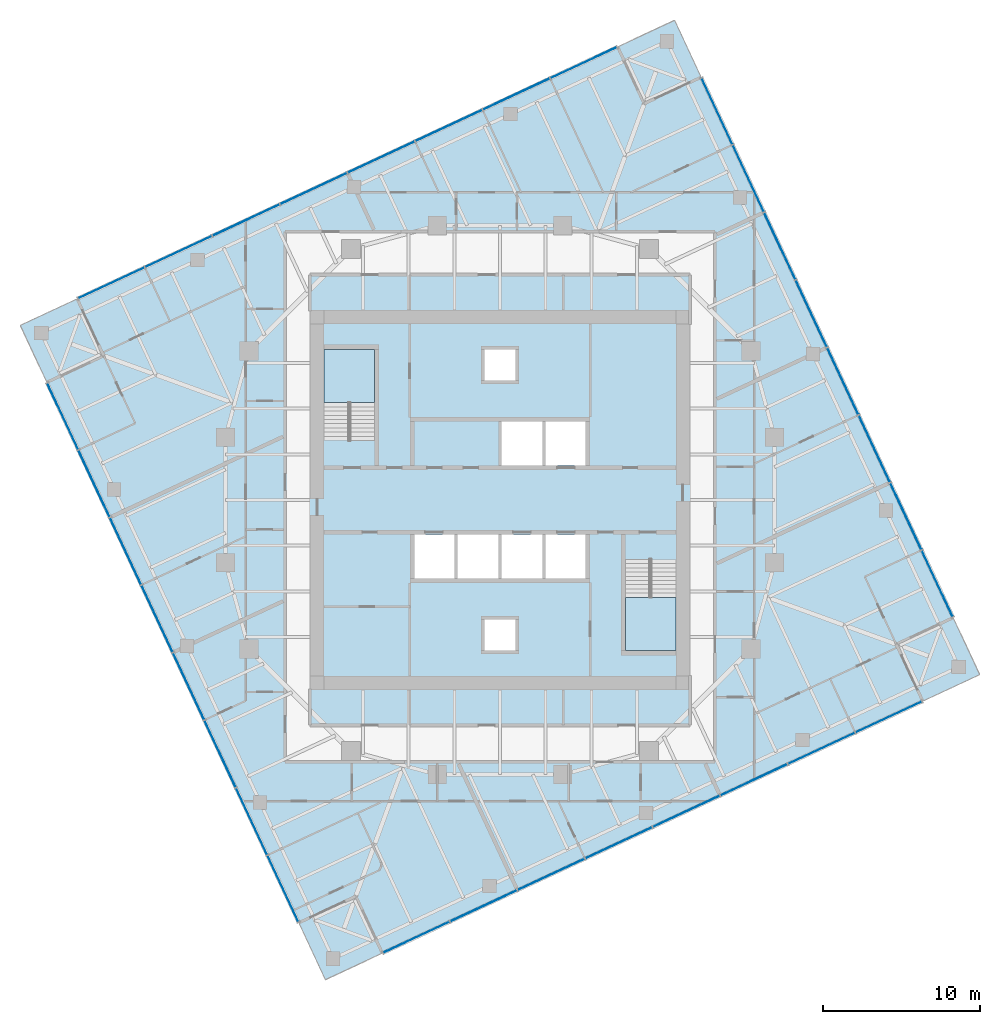
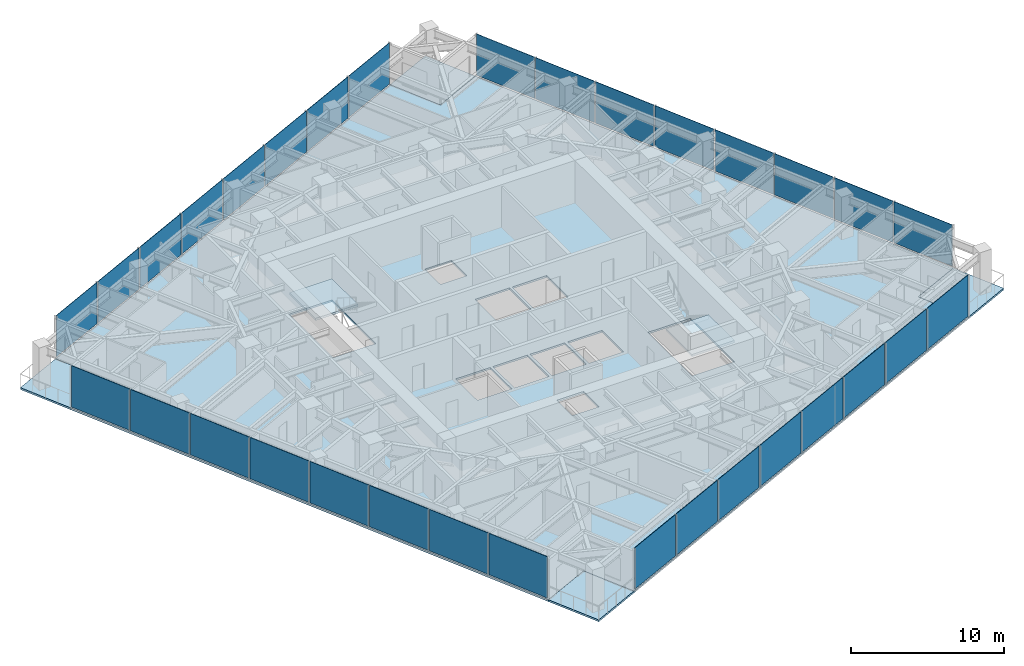
# One storey, part 6 of 12: 32 plates, 7 slabs, 6 elements without a shape of their own.
"""IFC4 building model written with IfcOpenShell, lengths in metres."""

from ifc_helpers import new_model, si_unit, direction, frame, origin, origin_2d, place, context, subcontext, project, spatial, polyline, rectangle, outline, extrude, material, layer, layer_set, type_object, element, aggregate, save


model = new_model("IFC4")

# Units and contexts
model_context = context("Model", 3, precision=1e-05, world=origin(), true_north=direction((0.0, 1.0)))
body_context = subcontext(model_context, "Body", "Model", "MODEL_VIEW")
ifc_project = project(units=[si_unit("LENGTHUNIT", "METRE"), si_unit("AREAUNIT", "SQUARE_METRE"), si_unit("VOLUMEUNIT", "CUBIC_METRE"), si_unit("PLANEANGLEUNIT", "RADIAN"), si_unit("MASSUNIT", "GRAM", prefix="KILO")], contexts=[model_context])

# Site, building, storey
site_placement = place(None, origin())
site = spatial("IfcSite", under=ifc_project, at=site_placement, CompositionType="ELEMENT")
building_placement = place(site_placement, origin())
building = spatial("IfcBuilding", under=site, at=building_placement, Name="Torsade Residences", CompositionType="ELEMENT")
storey_placement = place(building_placement, frame((0.0, 0.0, 186.199951171875)))
storey = spatial("IfcBuildingStorey", under=building, at=storey_placement, Name="L51", CompositionType="ELEMENT", Elevation=186.199951171875)

# Slab
ifc_material_1 = material(Name="Concrete 40 MPa", Category="concrete")
ifc_layer_1 = layer(ifc_material_1, 0.14990234375)
ifc_layer_set_1 = layer_set([ifc_layer_1], Name="Concrete 40 MPa")
slab_type_1 = type_object("IfcSlabType", Name="COMPOSITE FLOOR SLAB 150", PredefinedType="FLOOR", material=ifc_layer_set_1)
slab_1_placement = place(storey_placement, frame((0.0, 0.0, -0.14990234375)))
element("IfcSlab", 1, at=slab_1_placement, inside=storey, type_object=slab_type_1, Name="Floor slab L51", PredefinedType="FLOOR", context=body_context, shape_type="SweptSolid", body=[
    extrude(outline(polyline([(32.50048828125, 1.125244140625), (66.940185546875, 17.1845703125), (65.24951171875, 20.809814453125), (68.874755859375, 22.50048828125), (52.8154296875, 56.940185546875), (49.190185546875, 55.24951171875), (47.49951171875, 58.874755859375), (13.059814453125, 42.8154296875), (14.75048828125, 39.190185546875), (11.125244140625, 37.49951171875), (27.1845703125, 3.059814453125), (30.809814453125, 4.75048828125), (32.50048828125, 1.125244140625)]), holes=[polyline([(51.199951171875, 26.1201171875), (48.0, 26.1201171875), (48.0, 20.39990234375), (51.199951171875, 20.39990234375), (51.199951171875, 26.1201171875)]), polyline([(45.5, 27.800048828125), (42.89990234375, 27.800048828125), (42.89990234375, 25.0), (45.5, 25.0), (45.5, 27.800048828125)]), polyline([(45.5, 35.0), (42.89990234375, 35.0), (42.89990234375, 32.199951171875), (45.5, 32.199951171875), (45.5, 35.0)]), polyline([(42.699951171875, 25.0), (42.699951171875, 27.800048828125), (40.10009765625, 27.800048828125), (40.10009765625, 25.0), (42.699951171875, 25.0)]), polyline([(42.699951171875, 35.0), (40.10009765625, 35.0), (40.10009765625, 32.199951171875), (42.699951171875, 32.199951171875), (42.699951171875, 35.0)]), polyline([(41.0, 22.39990234375), (39.0, 22.39990234375), (39.0, 20.39990234375), (41.0, 20.39990234375), (41.0, 22.39990234375)]), polyline([(41.0, 37.60009765625), (41.0, 39.60009765625), (39.0, 39.60009765625), (39.0, 37.60009765625), (41.0, 37.60009765625)]), polyline([(39.89990234375, 25.0), (39.89990234375, 27.800048828125), (37.300048828125, 27.800048828125), (37.300048828125, 25.0), (39.89990234375, 25.0)]), polyline([(37.10009765625, 27.800048828125), (34.5, 27.800048828125), (34.5, 25.0), (37.10009765625, 25.0), (37.10009765625, 27.800048828125)]), polyline([(32.0, 33.8798828125), (32.0, 39.60009765625), (28.800048828125, 39.60009765625), (28.800048828125, 33.8798828125), (32.0, 33.8798828125)])]), origin(), (0.0, 0.0, 1.0), 0.14990234375),
])

# Curtain wall, plates
ifc_material_2 = material(Name="Aluminium and glass", Category="aluminium")
curtain_wall_type = type_object("IfcCurtainWallType", Name="FRITTED GLASS CURTAIN WALL MID ZONE", PredefinedType="NOTDEFINED", material=ifc_material_2)
curtain_wall_1_placement = place(storey_placement, origin())
curtain_wall_1 = element("IfcCurtainWall", 2, at=curtain_wall_1_placement, inside=storey, type_object=curtain_wall_type, Name="Curtain wall L51 face 1", PredefinedType="NOTDEFINED")
ifc_material_3 = material(Name="Laminated glass", Category="glass")
ifc_layer_2 = layer(ifc_material_3, 0.031982421875)
ifc_layer_set_2 = layer_set([ifc_layer_2], Name="Laminated glass")
plate_type_1 = type_object("IfcPlateType", Name="FRITTED GLASS PANEL", PredefinedType="CURTAIN_PANEL", material=ifc_layer_set_2)
plate_1_placement = place(storey_placement, frame((34.6708984375, 2.137451171875, 0.110107421875), z_axis=(0.0, 0.0, 1.0), x_axis=(0.906307786926, 0.422618261978, 0.0)))
plate_1 = element("IfcPlate", 3, at=plate_1_placement, type_object=plate_type_1, Name="Panel 1", PredefinedType="CURTAIN_PANEL", context=body_context, shape_type="SweptSolid", body=[
    extrude(rectangle(XDim=4.6298828125, YDim=0.031982421875, at=origin_2d()), origin(), (0.0, 0.0, 1.0), 3.2900390625),
])
plate_2_placement = place(storey_placement, frame((43.2626953125, 6.143798828125, 0.110107421875), z_axis=(0.0, 0.0, 1.0), x_axis=(0.906307786926, 0.422618261978, 0.0)))
plate_2 = element("IfcPlate", 4, at=plate_2_placement, type_object=plate_type_1, Name="Panel 3", PredefinedType="CURTAIN_PANEL", context=body_context, shape_type="SweptSolid", body=[
    extrude(rectangle(XDim=4.669921875, YDim=0.031982421875, at=origin_2d()), origin(), (0.0, 0.0, 1.0), 3.2900390625),
])
plate_3_placement = place(storey_placement, frame((47.567626953125, 8.151123046875, 0.110107421875), z_axis=(0.0, 0.0, 1.0), x_axis=(0.906307786926, 0.422618261978, 0.0)))
plate_3 = element("IfcPlate", 5, at=plate_3_placement, type_object=plate_type_1, Name="Panel 4", PredefinedType="CURTAIN_PANEL", context=body_context, shape_type="SweptSolid", body=[
    extrude(rectangle(XDim=4.669921875, YDim=0.031982421875, at=origin_2d()), origin(), (0.0, 0.0, 1.0), 3.2900390625),
])
plate_4_placement = place(storey_placement, frame((51.872802734375, 10.15869140625, 0.110107421875), z_axis=(0.0, 0.0, 1.0), x_axis=(0.906307786926, 0.422618261978, 0.0)))
plate_4 = element("IfcPlate", 6, at=plate_4_placement, type_object=plate_type_1, Name="Panel 5", PredefinedType="CURTAIN_PANEL", context=body_context, shape_type="SweptSolid", body=[
    extrude(rectangle(XDim=4.669921875, YDim=0.031982421875, at=origin_2d()), origin(), (0.0, 0.0, 1.0), 3.2900390625),
])
plate_5_placement = place(storey_placement, frame((60.482666015625, 14.173583984375, 0.110107421875), z_axis=(0.0, 0.0, 1.0), x_axis=(0.906307786926, 0.422618261978, 0.0)))
plate_5 = element("IfcPlate", 7, at=plate_5_placement, type_object=plate_type_1, Name="Panel 7", PredefinedType="CURTAIN_PANEL", context=body_context, shape_type="SweptSolid", body=[
    extrude(rectangle(XDim=4.669921875, YDim=0.031982421875, at=origin_2d()), origin(), (0.0, 0.0, 1.0), 3.2900390625),
])
plate_6_placement = place(storey_placement, frame((64.76953125, 16.172607421875, 0.110107421875), z_axis=(0.0, 0.0, 1.0), x_axis=(0.906307786926, 0.422618261978, 0.0)))
plate_6 = element("IfcPlate", 8, at=plate_6_placement, type_object=plate_type_1, Name="Panel 8", PredefinedType="CURTAIN_PANEL", context=body_context, shape_type="SweptSolid", body=[
    extrude(rectangle(XDim=4.6298828125, YDim=0.031982421875, at=origin_2d()), origin(), (0.0, 0.0, 1.0), 3.2900390625),
])

curtain_wall_2_placement = place(storey_placement, origin())
curtain_wall_2 = element("IfcCurtainWall", 9, at=curtain_wall_2_placement, inside=storey, type_object=curtain_wall_type, Name="Curtain wall L51 face 4", PredefinedType="NOTDEFINED")
plate_7_placement = place(storey_placement, frame((67.862548828125, 24.6708984375, 0.110107421875), z_axis=(0.0, 0.0, 1.0), x_axis=(-0.422618261978, 0.906307786926, 0.0)))
plate_7 = element("IfcPlate", 10, at=plate_7_placement, type_object=plate_type_1, Name="Panel 1", PredefinedType="CURTAIN_PANEL", context=body_context, shape_type="SweptSolid", body=[
    extrude(rectangle(XDim=4.6298828125, YDim=0.031982421875, at=origin_2d()), origin(), (0.0, 0.0, 1.0), 3.2900390625),
])
plate_8_placement = place(storey_placement, frame((63.856201171875, 33.2626953125, 0.110107421875), z_axis=(0.0, 0.0, 1.0), x_axis=(-0.422618261978, 0.906307786926, 0.0)))
plate_8 = element("IfcPlate", 11, at=plate_8_placement, type_object=plate_type_1, Name="Panel 3", PredefinedType="CURTAIN_PANEL", context=body_context, shape_type="SweptSolid", body=[
    extrude(rectangle(XDim=4.669921875, YDim=0.031982421875, at=origin_2d()), origin(), (0.0, 0.0, 1.0), 3.2900390625),
])
plate_9_placement = place(storey_placement, frame((61.848876953125, 37.567626953125, 0.110107421875), z_axis=(0.0, 0.0, 1.0), x_axis=(-0.422618261978, 0.906307786926, 0.0)))
plate_9 = element("IfcPlate", 12, at=plate_9_placement, type_object=plate_type_1, Name="Panel 4", PredefinedType="CURTAIN_PANEL", context=body_context, shape_type="SweptSolid", body=[
    extrude(rectangle(XDim=4.669921875, YDim=0.031982421875, at=origin_2d()), origin(), (0.0, 0.0, 1.0), 3.2900390625),
])
plate_10_placement = place(storey_placement, frame((59.84130859375, 41.872802734375, 0.110107421875), z_axis=(0.0, 0.0, 1.0), x_axis=(-0.422618261978, 0.906307786926, 0.0)))
plate_10 = element("IfcPlate", 13, at=plate_10_placement, type_object=plate_type_1, Name="Panel 5", PredefinedType="CURTAIN_PANEL", context=body_context, shape_type="SweptSolid", body=[
    extrude(rectangle(XDim=4.669921875, YDim=0.031982421875, at=origin_2d()), origin(), (0.0, 0.0, 1.0), 3.2900390625),
])
plate_11_placement = place(storey_placement, frame((55.826416015625, 50.482666015625, 0.110107421875), z_axis=(0.0, 0.0, 1.0), x_axis=(-0.422618261978, 0.906307786926, 0.0)))
plate_11 = element("IfcPlate", 14, at=plate_11_placement, type_object=plate_type_1, Name="Panel 7", PredefinedType="CURTAIN_PANEL", context=body_context, shape_type="SweptSolid", body=[
    extrude(rectangle(XDim=4.669921875, YDim=0.031982421875, at=origin_2d()), origin(), (0.0, 0.0, 1.0), 3.2900390625),
])
plate_12_placement = place(storey_placement, frame((53.827392578125, 54.76953125, 0.110107421875), z_axis=(0.0, 0.0, 1.0), x_axis=(-0.422618261978, 0.906307786926, 0.0)))
plate_12 = element("IfcPlate", 15, at=plate_12_placement, type_object=plate_type_1, Name="Panel 8", PredefinedType="CURTAIN_PANEL", context=body_context, shape_type="SweptSolid", body=[
    extrude(rectangle(XDim=4.6298828125, YDim=0.031982421875, at=origin_2d()), origin(), (0.0, 0.0, 1.0), 3.2900390625),
])

curtain_wall_3_placement = place(storey_placement, origin())
curtain_wall_3 = element("IfcCurtainWall", 16, at=curtain_wall_3_placement, inside=storey, type_object=curtain_wall_type, Name="Curtain wall L51 face 7", PredefinedType="NOTDEFINED")
plate_13_placement = place(storey_placement, frame((45.3291015625, 57.862548828125, 0.110107421875), z_axis=(0.0, 0.0, 1.0), x_axis=(-0.906307786926, -0.422618261978, 0.0)))
plate_13 = element("IfcPlate", 17, at=plate_13_placement, type_object=plate_type_1, Name="Panel 1", PredefinedType="CURTAIN_PANEL", context=body_context, shape_type="SweptSolid", body=[
    extrude(rectangle(XDim=4.6298828125, YDim=0.031982421875, at=origin_2d()), origin(), (0.0, 0.0, 1.0), 3.2900390625),
])
plate_14_placement = place(storey_placement, frame((36.7373046875, 53.856201171875, 0.110107421875), z_axis=(0.0, 0.0, 1.0), x_axis=(-0.906307786926, -0.422618261978, 0.0)))
plate_14 = element("IfcPlate", 18, at=plate_14_placement, type_object=plate_type_1, Name="Panel 3", PredefinedType="CURTAIN_PANEL", context=body_context, shape_type="SweptSolid", body=[
    extrude(rectangle(XDim=4.669921875, YDim=0.031982421875, at=origin_2d()), origin(), (0.0, 0.0, 1.0), 3.2900390625),
])
plate_15_placement = place(storey_placement, frame((32.432373046875, 51.848876953125, 0.110107421875), z_axis=(0.0, 0.0, 1.0), x_axis=(-0.906307786926, -0.422618261978, 0.0)))
plate_15 = element("IfcPlate", 19, at=plate_15_placement, type_object=plate_type_1, Name="Panel 4", PredefinedType="CURTAIN_PANEL", context=body_context, shape_type="SweptSolid", body=[
    extrude(rectangle(XDim=4.669921875, YDim=0.031982421875, at=origin_2d()), origin(), (0.0, 0.0, 1.0), 3.2900390625),
])
plate_16_placement = place(storey_placement, frame((28.127197265625, 49.84130859375, 0.110107421875), z_axis=(0.0, 0.0, 1.0), x_axis=(-0.906307786926, -0.422618261978, 0.0)))
plate_16 = element("IfcPlate", 20, at=plate_16_placement, type_object=plate_type_1, Name="Panel 5", PredefinedType="CURTAIN_PANEL", context=body_context, shape_type="SweptSolid", body=[
    extrude(rectangle(XDim=4.669921875, YDim=0.031982421875, at=origin_2d()), origin(), (0.0, 0.0, 1.0), 3.2900390625),
])
plate_17_placement = place(storey_placement, frame((19.517333984375, 45.826416015625, 0.110107421875), z_axis=(0.0, 0.0, 1.0), x_axis=(-0.906307786926, -0.422618261978, 0.0)))
plate_17 = element("IfcPlate", 21, at=plate_17_placement, type_object=plate_type_1, Name="Panel 7", PredefinedType="CURTAIN_PANEL", context=body_context, shape_type="SweptSolid", body=[
    extrude(rectangle(XDim=4.669921875, YDim=0.031982421875, at=origin_2d()), origin(), (0.0, 0.0, 1.0), 3.2900390625),
])
plate_18_placement = place(storey_placement, frame((15.23046875, 43.827392578125, 0.110107421875), z_axis=(0.0, 0.0, 1.0), x_axis=(-0.906307786926, -0.422618261978, 0.0)))
plate_18 = element("IfcPlate", 22, at=plate_18_placement, type_object=plate_type_1, Name="Panel 8", PredefinedType="CURTAIN_PANEL", context=body_context, shape_type="SweptSolid", body=[
    extrude(rectangle(XDim=4.6298828125, YDim=0.031982421875, at=origin_2d()), origin(), (0.0, 0.0, 1.0), 3.2900390625),
])

curtain_wall_4_placement = place(storey_placement, origin())
curtain_wall_4 = element("IfcCurtainWall", 23, at=curtain_wall_4_placement, inside=storey, type_object=curtain_wall_type, Name="Curtain wall L51 face 10", PredefinedType="NOTDEFINED")
plate_19_placement = place(storey_placement, frame((12.137451171875, 35.3291015625, 0.110107421875), z_axis=(0.0, 0.0, 1.0), x_axis=(0.422618261978, -0.906307786926, 0.0)))
plate_19 = element("IfcPlate", 24, at=plate_19_placement, type_object=plate_type_1, Name="Panel 1", PredefinedType="CURTAIN_PANEL", context=body_context, shape_type="SweptSolid", body=[
    extrude(rectangle(XDim=4.6298828125, YDim=0.031982421875, at=origin_2d()), origin(), (0.0, 0.0, 1.0), 3.2900390625),
])
plate_20_placement = place(storey_placement, frame((16.143798828125, 26.7373046875, 0.110107421875), z_axis=(0.0, 0.0, 1.0), x_axis=(0.422618261978, -0.906307786926, 0.0)))
plate_20 = element("IfcPlate", 25, at=plate_20_placement, type_object=plate_type_1, Name="Panel 3", PredefinedType="CURTAIN_PANEL", context=body_context, shape_type="SweptSolid", body=[
    extrude(rectangle(XDim=4.669921875, YDim=0.031982421875, at=origin_2d()), origin(), (0.0, 0.0, 1.0), 3.2900390625),
])
plate_21_placement = place(storey_placement, frame((18.151123046875, 22.432373046875, 0.110107421875), z_axis=(0.0, 0.0, 1.0), x_axis=(0.422618261978, -0.906307786926, 0.0)))
plate_21 = element("IfcPlate", 26, at=plate_21_placement, type_object=plate_type_1, Name="Panel 4", PredefinedType="CURTAIN_PANEL", context=body_context, shape_type="SweptSolid", body=[
    extrude(rectangle(XDim=4.669921875, YDim=0.031982421875, at=origin_2d()), origin(), (0.0, 0.0, 1.0), 3.2900390625),
])
plate_22_placement = place(storey_placement, frame((20.15869140625, 18.127197265625, 0.110107421875), z_axis=(0.0, 0.0, 1.0), x_axis=(0.422618261978, -0.906307786926, 0.0)))
plate_22 = element("IfcPlate", 27, at=plate_22_placement, type_object=plate_type_1, Name="Panel 5", PredefinedType="CURTAIN_PANEL", context=body_context, shape_type="SweptSolid", body=[
    extrude(rectangle(XDim=4.669921875, YDim=0.031982421875, at=origin_2d()), origin(), (0.0, 0.0, 1.0), 3.2900390625),
])
plate_23_placement = place(storey_placement, frame((24.173583984375, 9.517333984375, 0.110107421875), z_axis=(0.0, 0.0, 1.0), x_axis=(0.422618261978, -0.906307786926, 0.0)))
plate_23 = element("IfcPlate", 28, at=plate_23_placement, type_object=plate_type_1, Name="Panel 7", PredefinedType="CURTAIN_PANEL", context=body_context, shape_type="SweptSolid", body=[
    extrude(rectangle(XDim=4.669921875, YDim=0.031982421875, at=origin_2d()), origin(), (0.0, 0.0, 1.0), 3.2900390625),
])
plate_24_placement = place(storey_placement, frame((26.172607421875, 5.23046875, 0.110107421875), z_axis=(0.0, 0.0, 1.0), x_axis=(0.422618261978, -0.906307786926, 0.0)))
plate_24 = element("IfcPlate", 29, at=plate_24_placement, type_object=plate_type_1, Name="Panel 8", PredefinedType="CURTAIN_PANEL", context=body_context, shape_type="SweptSolid", body=[
    extrude(rectangle(XDim=4.6298828125, YDim=0.031982421875, at=origin_2d()), origin(), (0.0, 0.0, 1.0), 3.2900390625),
])

# Plate
ifc_material_4 = material(Name="Laminated glass", Category="glass")
ifc_layer_3 = layer(ifc_material_4, 0.0400390625)
ifc_layer_set_3 = layer_set([ifc_layer_3], Name="Laminated glass")
plate_type_2 = type_object("IfcPlateType", Name="OPERABLE VENT PANEL", PredefinedType="CURTAIN_PANEL", material=ifc_layer_set_3)
plate_25_placement = place(storey_placement, frame((38.957763671875, 4.13623046875, 0.110107421875), z_axis=(0.0, 0.0, 1.0), x_axis=(0.906307786926, 0.422618261978, 0.0)))
plate_25 = element("IfcPlate", 30, at=plate_25_placement, type_object=plate_type_2, Name="Panel 2", PredefinedType="CURTAIN_PANEL", context=body_context, shape_type="SweptSolid", body=[
    extrude(rectangle(XDim=4.669921875, YDim=0.0400390625, at=origin_2d()), origin(), (0.0, 0.0, 1.0), 3.2900390625),
])

plate_26_placement = place(storey_placement, frame((56.177734375, 12.166015625, 0.110107421875), z_axis=(0.0, 0.0, 1.0), x_axis=(0.906307786926, 0.422618261978, 0.0)))
plate_26 = element("IfcPlate", 31, at=plate_26_placement, type_object=plate_type_2, Name="Panel 6", PredefinedType="CURTAIN_PANEL", context=body_context, shape_type="SweptSolid", body=[
    extrude(rectangle(XDim=4.669921875, YDim=0.0400390625, at=origin_2d()), origin(), (0.0, 0.0, 1.0), 3.2900390625),
])

aggregate(curtain_wall_1, [plate_1, plate_25, plate_2, plate_3, plate_4, plate_26, plate_5, plate_6])

plate_27_placement = place(storey_placement, frame((65.86376953125, 28.957763671875, 0.110107421875), z_axis=(0.0, 0.0, 1.0), x_axis=(-0.422618261978, 0.906307786926, 0.0)))
plate_27 = element("IfcPlate", 32, at=plate_27_placement, type_object=plate_type_2, Name="Panel 2", PredefinedType="CURTAIN_PANEL", context=body_context, shape_type="SweptSolid", body=[
    extrude(rectangle(XDim=4.669921875, YDim=0.0400390625, at=origin_2d()), origin(), (0.0, 0.0, 1.0), 3.2900390625),
])

plate_28_placement = place(storey_placement, frame((57.833984375, 46.177734375, 0.110107421875), z_axis=(0.0, 0.0, 1.0), x_axis=(-0.422618261978, 0.906307786926, 0.0)))
plate_28 = element("IfcPlate", 33, at=plate_28_placement, type_object=plate_type_2, Name="Panel 6", PredefinedType="CURTAIN_PANEL", context=body_context, shape_type="SweptSolid", body=[
    extrude(rectangle(XDim=4.669921875, YDim=0.0400390625, at=origin_2d()), origin(), (0.0, 0.0, 1.0), 3.2900390625),
])

aggregate(curtain_wall_2, [plate_7, plate_27, plate_8, plate_9, plate_10, plate_28, plate_11, plate_12])

plate_29_placement = place(storey_placement, frame((41.042236328125, 55.86376953125, 0.110107421875), z_axis=(0.0, 0.0, 1.0), x_axis=(-0.906307786926, -0.422618261978, 0.0)))
plate_29 = element("IfcPlate", 34, at=plate_29_placement, type_object=plate_type_2, Name="Panel 2", PredefinedType="CURTAIN_PANEL", context=body_context, shape_type="SweptSolid", body=[
    extrude(rectangle(XDim=4.669921875, YDim=0.0400390625, at=origin_2d()), origin(), (0.0, 0.0, 1.0), 3.2900390625),
])

plate_30_placement = place(storey_placement, frame((23.822265625, 47.833984375, 0.110107421875), z_axis=(0.0, 0.0, 1.0), x_axis=(-0.906307786926, -0.422618261978, 0.0)))
plate_30 = element("IfcPlate", 35, at=plate_30_placement, type_object=plate_type_2, Name="Panel 6", PredefinedType="CURTAIN_PANEL", context=body_context, shape_type="SweptSolid", body=[
    extrude(rectangle(XDim=4.669921875, YDim=0.0400390625, at=origin_2d()), origin(), (0.0, 0.0, 1.0), 3.2900390625),
])

aggregate(curtain_wall_3, [plate_13, plate_29, plate_14, plate_15, plate_16, plate_30, plate_17, plate_18])

plate_31_placement = place(storey_placement, frame((14.13623046875, 31.042236328125, 0.110107421875), z_axis=(0.0, 0.0, 1.0), x_axis=(0.422618261978, -0.906307786926, 0.0)))
plate_31 = element("IfcPlate", 36, at=plate_31_placement, type_object=plate_type_2, Name="Panel 2", PredefinedType="CURTAIN_PANEL", context=body_context, shape_type="SweptSolid", body=[
    extrude(rectangle(XDim=4.669921875, YDim=0.0400390625, at=origin_2d()), origin(), (0.0, 0.0, 1.0), 3.2900390625),
])

plate_32_placement = place(storey_placement, frame((22.166015625, 13.822265625, 0.110107421875), z_axis=(0.0, 0.0, 1.0), x_axis=(0.422618261978, -0.906307786926, 0.0)))
plate_32 = element("IfcPlate", 37, at=plate_32_placement, type_object=plate_type_2, Name="Panel 6", PredefinedType="CURTAIN_PANEL", context=body_context, shape_type="SweptSolid", body=[
    extrude(rectangle(XDim=4.669921875, YDim=0.0400390625, at=origin_2d()), origin(), (0.0, 0.0, 1.0), 3.2900390625),
])

aggregate(curtain_wall_4, [plate_19, plate_31, plate_20, plate_21, plate_22, plate_32, plate_23, plate_24])

# Stair, slab
ifc_material_5 = material(Name="Precast concrete 40 MPa", Category="concrete")
stair_type = type_object("IfcStairType", Name="HALF-TURN FIRE STAIR 1500x3400", PredefinedType="HALF_TURN_STAIR", material=ifc_material_5)
stair_1_placement = place(storey_placement, origin())
stair_1 = element("IfcStair", 38, at=stair_1_placement, inside=storey, type_object=stair_type, Name="Stair ST1 L51", PredefinedType="HALF_TURN_STAIR")
ifc_material_6 = material(Name="Precast concrete 40 MPa", Category="concrete")
ifc_layer_4 = layer(ifc_material_6, 0.179931640625)
ifc_layer_set_4 = layer_set([ifc_layer_4], Name="Precast concrete 40 MPa")
slab_type_2 = type_object("IfcSlabType", Name="PRECAST STAIR LANDING 180", PredefinedType="LANDING", material=ifc_layer_set_4)
slab_2_placement = place(storey_placement, frame((0.0, 0.0, 1.52001953125)))
slab_2 = element("IfcSlab", 39, at=slab_2_placement, type_object=slab_type_2, Name="ST1 landing 1", PredefinedType="LANDING", context=body_context, shape_type="SweptSolid", body=[
    extrude(outline(polyline([(28.800048828125, 36.2099609375), (32.0, 36.2099609375), (32.0, 39.60009765625), (28.800048828125, 39.60009765625), (28.800048828125, 36.2099609375)])), origin(), (0.0, 0.0, 1.0), 0.179931640625),
])
aggregate(stair_1, [slab_2])

stair_2_placement = place(storey_placement, origin())
stair_2 = element("IfcStair", 40, at=stair_2_placement, inside=storey, type_object=stair_type, Name="Stair ST2 L51", PredefinedType="HALF_TURN_STAIR")
slab_3_placement = place(storey_placement, frame((0.0, 0.0, 1.52001953125)))
slab_3 = element("IfcSlab", 41, at=slab_3_placement, type_object=slab_type_2, Name="ST2 landing 1", PredefinedType="LANDING", context=body_context, shape_type="SweptSolid", body=[
    extrude(outline(polyline([(48.0, 20.39990234375), (51.199951171875, 20.39990234375), (51.199951171875, 23.7900390625), (48.0, 23.7900390625), (48.0, 20.39990234375)])), origin(), (0.0, 0.0, 1.0), 0.179931640625),
])
aggregate(stair_2, [slab_3])

# Slabs
ifc_material_7 = material(Name="Concrete 40 MPa", Category="concrete")
ifc_layer_5 = layer(ifc_material_7, 0.14990234375)
ifc_layer_set_5 = layer_set([ifc_layer_5], Name="Concrete 40 MPa")
slab_type_3 = type_object("IfcSlabType", Name="TERRACE SLAB 150", PredefinedType="FLOOR", material=ifc_layer_set_5)
slab_4_placement = place(storey_placement, frame((0.0, 0.0, -0.14990234375)))
element("IfcSlab", 42, at=slab_4_placement, inside=storey, type_object=slab_type_3, Name="Corner terrace slab SE L51", PredefinedType="FLOOR", context=body_context, shape_type="SweptSolid", body=[
    extrude(outline(polyline([(66.940185546875, 17.1845703125), (70.565185546875, 18.875244140625), (68.874755859375, 22.50048828125), (65.24951171875, 20.809814453125), (66.940185546875, 17.1845703125)])), origin(), (0.0, 0.0, 1.0), 0.14990234375),
])
slab_5_placement = place(storey_placement, frame((0.0, 0.0, -0.14990234375)))
element("IfcSlab", 43, at=slab_5_placement, inside=storey, type_object=slab_type_3, Name="Corner terrace slab NE L51", PredefinedType="FLOOR", context=body_context, shape_type="SweptSolid", body=[
    extrude(outline(polyline([(49.190185546875, 55.24951171875), (52.8154296875, 56.940185546875), (51.124755859375, 60.565185546875), (47.49951171875, 58.874755859375), (49.190185546875, 55.24951171875)])), origin(), (0.0, 0.0, 1.0), 0.14990234375),
])
slab_6_placement = place(storey_placement, frame((0.0, 0.0, -0.14990234375)))
element("IfcSlab", 44, at=slab_6_placement, inside=storey, type_object=slab_type_3, Name="Corner terrace slab NW L51", PredefinedType="FLOOR", context=body_context, shape_type="SweptSolid", body=[
    extrude(outline(polyline([(11.125244140625, 37.49951171875), (14.75048828125, 39.190185546875), (13.059814453125, 42.8154296875), (9.434814453125, 41.124755859375), (11.125244140625, 37.49951171875)])), origin(), (0.0, 0.0, 1.0), 0.14990234375),
])
slab_7_placement = place(storey_placement, frame((0.0, 0.0, -0.14990234375)))
element("IfcSlab", 45, at=slab_7_placement, inside=storey, type_object=slab_type_3, Name="Corner terrace slab SW L51", PredefinedType="FLOOR", context=body_context, shape_type="SweptSolid", body=[
    extrude(outline(polyline([(28.875244140625, -0.565185546875), (32.50048828125, 1.125244140625), (30.809814453125, 4.75048828125), (27.1845703125, 3.059814453125), (28.875244140625, -0.565185546875)])), origin(), (0.0, 0.0, 1.0), 0.14990234375),
])

save(model, "model.ifc")
